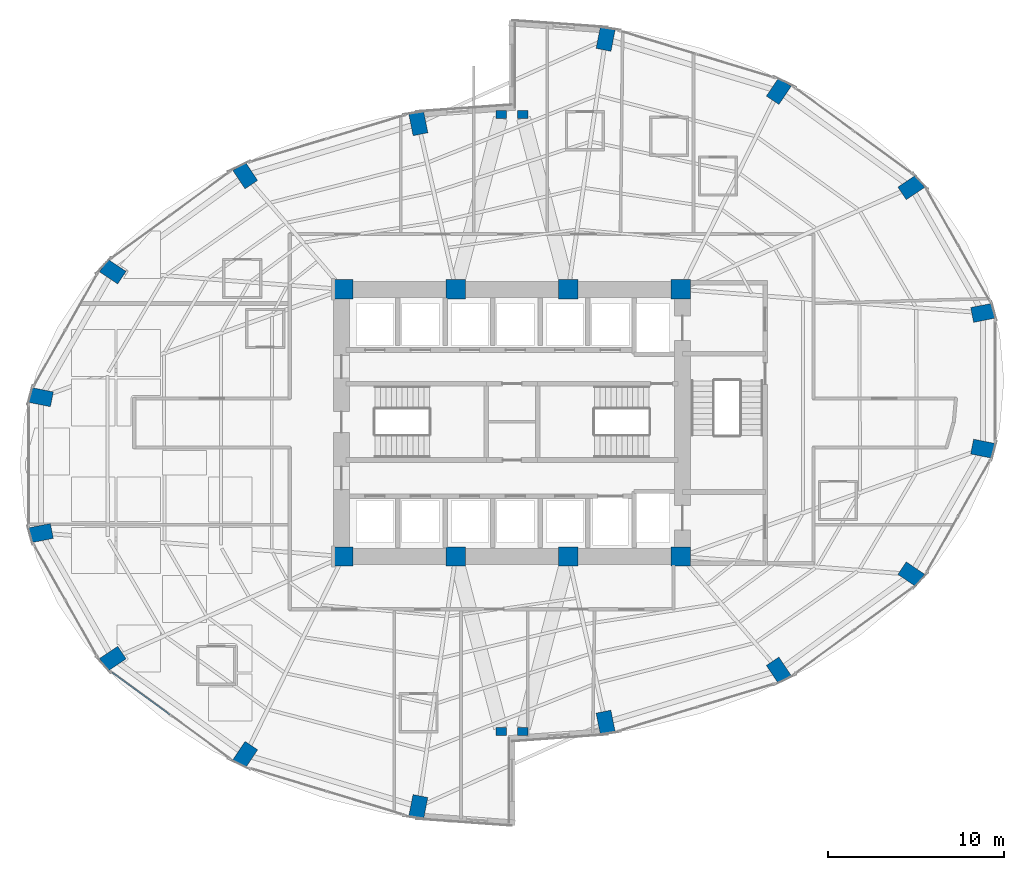
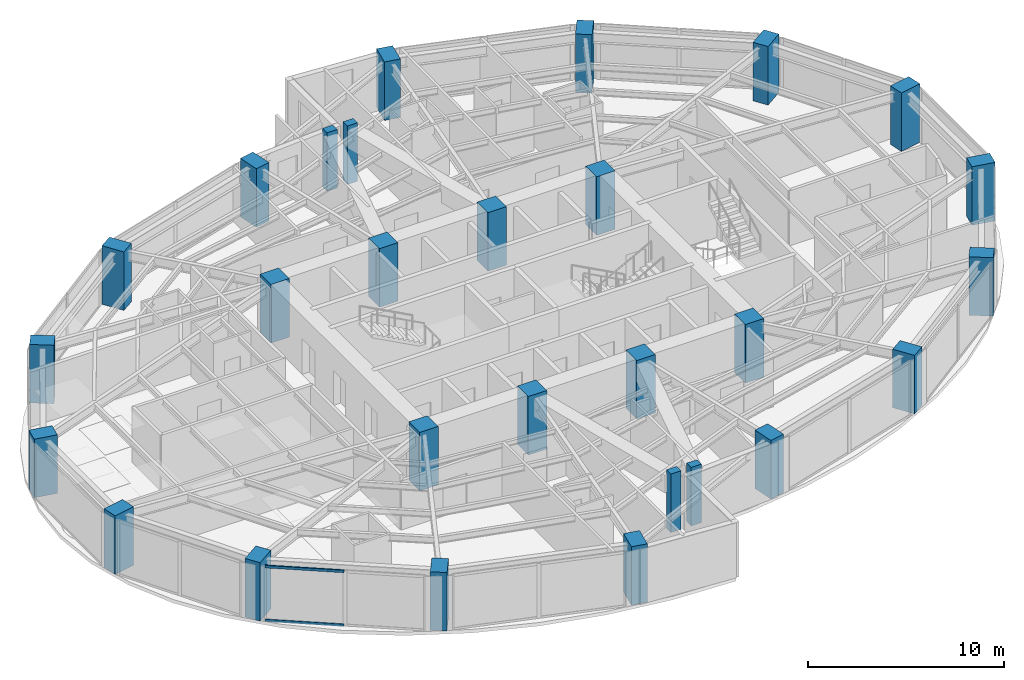
# One storey, part 1 of 25: 28 columns, 2 members, 1 element without a shape of its own.
"""IFC4 building model written with IfcOpenShell, lengths in metres."""

from ifc_helpers import new_model, si_unit, direction, frame, origin, origin_2d, place, context, subcontext, project, spatial, rectangle, hollow_rectangle, extrude, material, layer, layer_set, material_profile, profile_set, type_object, element, aggregate, save


model = new_model("IFC4")

# Units and contexts
model_context = context("Model", 3, precision=1e-05, world=origin(), true_north=direction((0.0, 1.0)))
body_context = subcontext(model_context, "Body", "Model", "MODEL_VIEW")
ifc_project = project(units=[si_unit("LENGTHUNIT", "METRE"), si_unit("AREAUNIT", "SQUARE_METRE"), si_unit("VOLUMEUNIT", "CUBIC_METRE"), si_unit("PLANEANGLEUNIT", "RADIAN"), si_unit("MASSUNIT", "GRAM", prefix="KILO")], contexts=[model_context])

# Site, building, storey
site_placement = place(None, origin())
site = spatial("IfcSite", under=ifc_project, at=site_placement, CompositionType="ELEMENT")
building_placement = place(site_placement, origin())
building = spatial("IfcBuilding", under=site, at=building_placement, Name="Lazwardi Medical Tower", CompositionType="ELEMENT")
storey_placement = place(building_placement, frame((0.0, 0.0, 32.49609375)))
storey = spatial("IfcBuildingStorey", under=building, at=storey_placement, Name="L07", CompositionType="ELEMENT", Elevation=32.49609375)

# Columns
ifc_material_1 = material(Name="Concrete C80/95", Category="concrete")
ifc_material_profile_1 = material_profile(ifc_material_1, rectangle(XDim=1.10009765625, YDim=1.10009765625, at=origin_2d()), Name="RC 1100x1100")
ifc_profile_set_1 = profile_set([ifc_material_profile_1], Name="Concrete C80/95")
column_type_1 = type_object("IfcColumnType", Name="COL-CC-L", PredefinedType="COLUMN", material=ifc_profile_set_1)
for number, where, z_axis, x_axis, name in (
    (1, (26.39990234375, 20.39990234375, 0.0), (0.0, 0.0, 1.0), (1.0, 0.0, 0.0), "Core column CC-01 CC1 L07"),
    (2, (32.800048828125, 20.39990234375, 0.0), (0.0, 0.0, 1.0), (1.0, 0.0, 0.0), "Core column CC-01 CC2 L07"),
    (3, (39.199951171875, 20.39990234375, 0.0), (0.0, 0.0, 1.0), (1.0, 0.0, 0.0), "Core column CC-01 CC3 L07"),
    (4, (45.60009765625, 20.39990234375, 0.0), (0.0, 0.0, 1.0), (1.0, 0.0, 0.0), "Core column CC-01 CC4 L07"),
    (5, (45.60009765625, 35.60009765625, 0.0), (0.0, 0.0, 1.0), (1.0, 0.0, 0.0), "Core column CC-01 CC5 L07"),
    (6, (39.199951171875, 35.60009765625, 0.0), (0.0, 0.0, 1.0), (1.0, 0.0, 0.0), "Core column CC-01 CC6 L07"),
    (7, (32.800048828125, 35.60009765625, 0.0), (0.0, 0.0, 1.0), (1.0, 0.0, 0.0), "Core column CC-01 CC7 L07"),
    (8, (26.39990234375, 35.60009765625, 0.0), (0.0, 0.0, 1.0), (1.0, 0.0, 0.0), "Core column CC-01 CC8 L07"),
):
    element("IfcColumn", number, at=place(storey_placement, frame(where, z_axis=z_axis, x_axis=x_axis)), inside=storey, type_object=column_type_1, Name=name, PredefinedType="COLUMN", context=body_context, shape_type="SweptSolid", body=[
        extrude(rectangle(XDim=1.10009765625, YDim=1.10009765625, at=origin_2d()), origin(), (0.0, 0.0, 1.0), 3.64794921875),
    ])
ifc_material_2 = material(Name="Concrete C70/85", Category="concrete")
ifc_material_profile_2 = material_profile(ifc_material_2, rectangle(XDim=1.25, YDim=0.860107421875, at=origin_2d()), Name="CFT-RECT 1250x860")
ifc_profile_set_2 = profile_set([ifc_material_profile_2], Name="Concrete C70/85")
column_type_2 = type_object("IfcColumnType", Name="COL-MC-Z1", PredefinedType="COLUMN", material=ifc_profile_set_2)
for number, where, z_axis, x_axis, name in (
    (9, (41.330810546875, 10.955810546875, 0.0), (0.0, 0.0, 1.0), (0.195090322016, -0.980785280403, 0.0), "Mega column MC-03 M01 L07"),
    (10, (51.180908203125, 13.916015625, 0.0), (0.0, 0.0, 1.0), (0.55557023302, -0.831469612303, 0.0), "Mega column MC-03 M02 L07"),
    (11, (58.719970703125, 19.3857421875, 0.0), (0.0, 0.0, 1.0), (0.831469612303, -0.55557023302, 0.0), "Mega column MC-03 M03 L07"),
    (12, (62.800048828125, 26.5322265625, 0.0), (0.0, 0.0, 1.0), (0.980785280403, -0.195090322016, 0.0), "Mega column MC-03 M04 L07"),
    (13, (62.800048828125, 34.267578125, 0.0), (0.0, 0.0, 1.0), (0.980785280403, 0.195090322016, 0.0), "Mega column MC-03 M05 L07"),
    (14, (58.719970703125, 41.414306640625, 0.0), (0.0, 0.0, 1.0), (0.831469612303, 0.55557023302, 0.0), "Mega column MC-03 M06 L07"),
    (15, (51.180908203125, 46.8837890625, 0.0), (0.0, 0.0, 1.0), (0.55557023302, 0.831469612303, 0.0), "Mega column MC-03 M07 L07"),
    (16, (41.330810546875, 49.843994140625, 0.0), (0.0, 0.0, 1.0), (0.195090322016, 0.980785280403, 0.0), "Mega column MC-03 M08 L07"),
    (17, (30.669189453125, 45.044189453125, 0.0), (0.0, 0.0, 1.0), (-0.195090322016, 0.980785280403, 0.0), "Mega column MC-03 M09 L07"),
    (18, (20.819091796875, 42.083984375, 0.0), (0.0, 0.0, 1.0), (-0.55557023302, 0.831469612303, 0.0), "Mega column MC-03 M10 L07"),
    (19, (13.280029296875, 36.6142578125, 0.0), (0.0, 0.0, 1.0), (-0.831469612303, 0.55557023302, 0.0), "Mega column MC-03 M11 L07"),
    (20, (9.199951171875, 29.4677734375, 0.0), (0.0, 0.0, 1.0), (-0.980785280403, 0.195090322016, 0.0), "Mega column MC-03 M12 L07"),
    (21, (9.199951171875, 21.732421875, 0.0), (0.0, 0.0, 1.0), (-0.980785280403, -0.195090322016, 0.0), "Mega column MC-03 M13 L07"),
    (22, (13.280029296875, 14.585693359375, 0.0), (0.0, 0.0, 1.0), (-0.831469612303, -0.55557023302, 0.0), "Mega column MC-03 M14 L07"),
    (23, (20.819091796875, 9.1162109375, 0.0), (0.0, 0.0, 1.0), (-0.55557023302, -0.831469612303, 0.0), "Mega column MC-03 M15 L07"),
    (24, (30.669189453125, 6.156005859375, 0.0), (0.0, 0.0, 1.0), (-0.195090322016, -0.980785280403, 0.0), "Mega column MC-03 M16 L07"),
):
    element("IfcColumn", number, at=place(storey_placement, frame(where, z_axis=z_axis, x_axis=x_axis)), inside=storey, type_object=column_type_2, Name=name, PredefinedType="COLUMN", context=body_context, shape_type="SweptSolid", body=[
        extrude(rectangle(XDim=1.25, YDim=0.860107421875, at=origin_2d()), origin(), (0.0, 0.0, 1.0), 3.64794921875),
    ])
ifc_material_3 = material(Name="Concrete C60/75", Category="concrete")
ifc_material_profile_3 = material_profile(ifc_material_3, rectangle(XDim=0.60009765625, YDim=0.449951171875, at=origin_2d()), Name="RC 600x450")
ifc_profile_set_3 = profile_set([ifc_material_profile_3], Name="Concrete C60/75")
column_type_3 = type_object("IfcColumnType", Name="COL-PL-IW", PredefinedType="PILASTER", material=ifc_profile_set_3)
for number, where, z_axis, x_axis, name in (
    (25, (35.39990234375, 45.550048828125, 0.0), (0.0, 0.0, 1.0), (1.0, 0.0, 0.0), "Iwan pilaster column PL-C1 PL1 L07"),
    (26, (36.60009765625, 45.550048828125, 0.0), (0.0, 0.0, 1.0), (1.0, 0.0, 0.0), "Iwan pilaster column PL-C1 PL2 L07"),
    (27, (35.39990234375, 10.449951171875, 0.0), (0.0, 0.0, 1.0), (1.0, 0.0, 0.0), "Iwan pilaster column PL-C1 PL3 L07"),
    (28, (36.60009765625, 10.449951171875, 0.0), (0.0, 0.0, 1.0), (1.0, 0.0, 0.0), "Iwan pilaster column PL-C1 PL4 L07"),
):
    element("IfcColumn", number, at=place(storey_placement, frame(where, z_axis=z_axis, x_axis=x_axis)), inside=storey, type_object=column_type_3, Name=name, PredefinedType="PILASTER", context=body_context, shape_type="SweptSolid", body=[
        extrude(rectangle(XDim=0.60009765625, YDim=0.449951171875, at=origin_2d()), origin(), (0.0, 0.0, 1.0), 3.64794921875),
    ])

# Curtain wall, members
ifc_material_4 = material(Name="Anodised bronze aluminium and solar control glazing", Category="aluminium")
ifc_layer = layer(ifc_material_4, 0.199951171875)
ifc_layer_set = layer_set([ifc_layer], Name="Anodised bronze aluminium and solar control glazing")
curtain_wall_type = type_object("IfcCurtainWallType", Name="CW-SYS-02", PredefinedType="NOTDEFINED", material=ifc_layer_set)
curtain_wall_placement = place(storey_placement, origin())
curtain_wall = element("IfcCurtainWall", 29, at=curtain_wall_placement, inside=storey, type_object=curtain_wall_type, Name="L07 Unitised bronze curtain wall CW-02", PredefinedType="NOTDEFINED")
ifc_material_5 = material(Name="Anodised bronze aluminium", Category="aluminium")
ifc_material_profile_4 = material_profile(ifc_material_5, hollow_rectangle(XDim=0.074951171875, YDim=0.159912109375, WallThickness=0.00390625, at=origin_2d()), Name="ALU-TRANSOM 160x75x4")
ifc_profile_set_4 = profile_set([ifc_material_profile_4], Name="Anodised bronze aluminium")
member_type = type_object("IfcMemberType", Name="CW-TRN-01", PredefinedType="USERDEFINED", material=ifc_profile_set_4)
member_1_placement = place(storey_placement, frame((13.239990234375, 13.805419921875, 0.037353515625), z_axis=(0.807189956199, -0.590291770748, 0.0), x_axis=(0.590291770748, 0.807189956199, 0.0)))
member_1 = element("IfcMember", 30, at=member_1_placement, type_object=member_type, Name="CW-02 transom 1.1", ObjectType="TRANSOM", PredefinedType="USERDEFINED", context=body_context, shape_type="SweptSolid", body=[
    extrude(hollow_rectangle(XDim=0.074951171875, YDim=0.159912109375, WallThickness=0.00390625, at=origin_2d()), origin(), (0.0, 0.0, 1.0), 4.070068359375),
])
member_2_placement = place(storey_placement, frame((13.239990234375, 13.805419921875, 3.390380859375), z_axis=(0.807189956199, -0.590291770748, 0.0), x_axis=(0.590291770748, 0.807189956199, 0.0)))
member_2 = element("IfcMember", 31, at=member_2_placement, type_object=member_type, Name="CW-02 transom 1.2", ObjectType="TRANSOM", PredefinedType="USERDEFINED", context=body_context, shape_type="SweptSolid", body=[
    extrude(hollow_rectangle(XDim=0.074951171875, YDim=0.159912109375, WallThickness=0.00390625, at=origin_2d()), origin(), (0.0, 0.0, 1.0), 4.070068359375),
])
aggregate(curtain_wall, [member_1, member_2])

save(model, "model.ifc")
